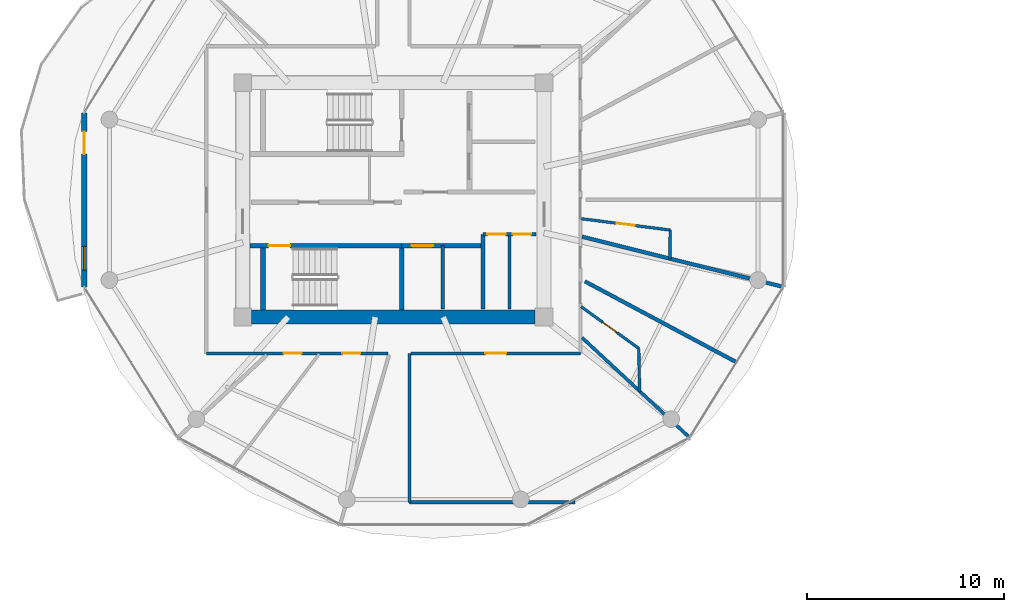
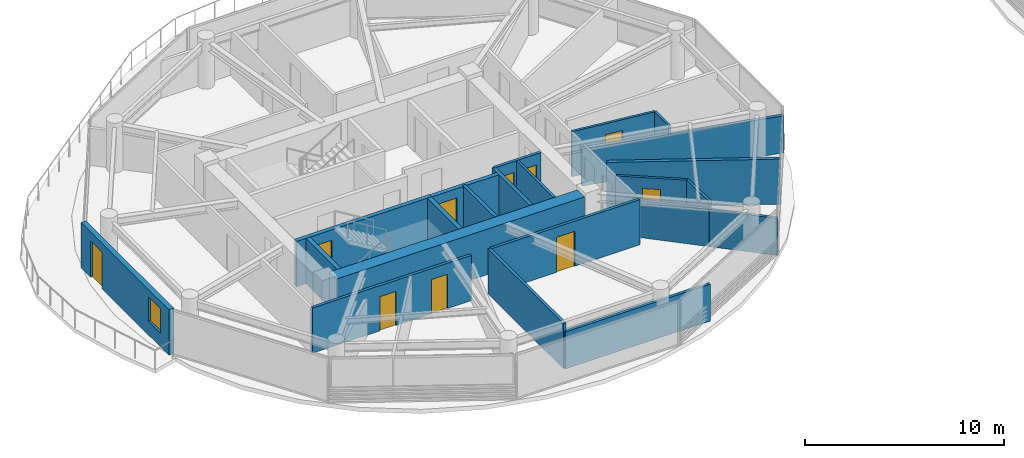
# One storey, part 13 of 24: 21 walls, 10 doors, 1 window, 11 openings.
"""IFC4 building model written with IfcOpenShell, lengths in metres."""

import ifcopenshell
import ifcopenshell.guid

model = None  # the IFC model being written
_history = None  # IfcOwnerHistory: only IFC2X3 demands one
_inside = {}  # id of a spatial element -> (the spatial element, [elements in it])
_under = {}  # id of a project, library or spatial element -> (it, [spatial elements below it])
_declared = {}  # id of a project -> (the project, [libraries it declares])
_typed = {}  # id of a type object -> (the type object, [elements of that type])
_made_of = {}  # id of a material, layer set ... -> (it, [elements and type objects made of it])


def new_model(schema):
    """Start an empty IFC model of exactly this schema.

    Asked for "IFC4X3", IfcOpenShell would pick the latest addendum, in which some entities
    have other attributes; the version numbers below select the first issue.
    IFC2X3 requires an IfcOwnerHistory on every rooted entity: one is made here for all.
    """
    global model, _history
    if schema == "IFC4X3":
        model = ifcopenshell.file(schema_version=(4, 3, 0, 0))
    else:
        model = ifcopenshell.file(schema=schema)
    _inside.clear()
    _under.clear()
    _declared.clear()
    _typed.clear()
    _made_of.clear()
    _history = None
    if model.schema == "IFC2X3":
        org = make("IfcOrganization", Name="unknown")
        user = make(
            "IfcPersonAndOrganization",
            ThePerson=make("IfcPerson", FamilyName="unknown"),
            TheOrganization=org,
        )
        app = make(
            "IfcApplication",
            ApplicationDeveloper=org,
            Version="unknown",
            ApplicationFullName="unknown",
            ApplicationIdentifier="unknown",
        )
        _history = make(
            "IfcOwnerHistory",
            OwningUser=user,
            OwningApplication=app,
            ChangeAction="ADDED",
            CreationDate=0,
        )
    return model


def make(cls, **values):
    """One entity of the class cls with the attributes given. An attribute that is None is left unset."""
    return model.create_entity(
        cls, **{name: value for name, value in values.items() if value is not None}
    )


def rooted(cls, **values):
    """An entity with a GlobalId (a new one), such as an element, a storey or a relation."""
    return make(cls, GlobalId=ifcopenshell.guid.new(), OwnerHistory=_history, **values)


def si_unit(unit_type, name, prefix=None):
    """IfcSIUnit, for example si_unit("LENGTHUNIT", "METRE", prefix="MILLI")."""
    return make("IfcSIUnit", UnitType=unit_type, Prefix=prefix, Name=name)


def assignment(units):
    """IfcUnitAssignment: the units of a project."""
    return None if units is None else make("IfcUnitAssignment", Units=units)


def point(xyz):
    """IfcCartesianPoint."""
    return None if xyz is None else make("IfcCartesianPoint", Coordinates=xyz)


def direction(xyz):
    """IfcDirection."""
    return None if xyz is None else make("IfcDirection", DirectionRatios=xyz)


def frame(location, z_axis=None, x_axis=None):
    """IfcAxis2Placement3D, a coordinate frame: its origin and axes. An axis left out is left unset."""
    return make(
        "IfcAxis2Placement3D",
        Location=point(location),
        Axis=direction(z_axis),
        RefDirection=direction(x_axis),
    )


def frame_2d(location, x_axis=None):
    """IfcAxis2Placement2D, a coordinate frame in the plane: its origin and x axis."""
    return make(
        "IfcAxis2Placement2D", Location=point(location), RefDirection=direction(x_axis)
    )


def origin():
    """The frame at (0, 0, 0) with its axes left unset."""
    return frame((0.0, 0.0, 0.0))


def place(relative_to, where):
    """IfcLocalPlacement: puts the frame where relative to a parent placement (None: the world)."""
    return make(
        "IfcLocalPlacement", PlacementRelTo=relative_to, RelativePlacement=where
    )


def context(
    kind, dimensions, precision=None, world=None, true_north=None, identifier=None
):
    """IfcGeometricRepresentationContext, for example the 3D "Model" context."""
    return make(
        "IfcGeometricRepresentationContext",
        ContextIdentifier=identifier,
        ContextType=kind,
        CoordinateSpaceDimension=dimensions,
        Precision=precision,
        WorldCoordinateSystem=world,
        TrueNorth=true_north,
    )


def subcontext(parent, identifier, kind, view, scale=None):
    """IfcGeometricRepresentationSubContext, for example "Body" below "Model"."""
    return make(
        "IfcGeometricRepresentationSubContext",
        ContextIdentifier=identifier,
        ContextType=kind,
        ParentContext=parent,
        TargetScale=scale,
        TargetView=view,
    )


def project(units=None, contexts=None):
    """IfcProject with its units and contexts."""
    return rooted(
        "IfcProject",
        Name="project",
        RepresentationContexts=contexts,
        UnitsInContext=assignment(units),
    )


def spatial(cls, under=None, at=None, **own):
    """A site, building, storey or space (cls), placed at a placement, below another one or the project."""
    s = rooted(cls, ObjectPlacement=at, **own)
    if under is not None:
        _under.setdefault(under.id(), (under, []))[1].append(s)
    return s


def profile(cls, at=None, kind="AREA", **sizes):
    """A parametric profile (cls). Its sizes go by their IFC names, for example OverallWidth=200.0."""
    return make(cls, ProfileType=kind, Position=at, **sizes)


def rectangle(**sizes):
    """IfcRectangleProfileDef."""
    return profile("IfcRectangleProfileDef", **sizes)


def extrude(swept, where, along, depth):
    """IfcExtrudedAreaSolid: the profile swept, set in the frame where, extruded along a direction by depth."""
    return make(
        "IfcExtrudedAreaSolid",
        SweptArea=swept,
        Position=where,
        ExtrudedDirection=direction(along),
        Depth=depth,
    )


def shape(context_of_items, identifier, shape_type, items):
    """IfcShapeRepresentation: the items that make up one representation, for example the "Body"."""
    return make(
        "IfcShapeRepresentation",
        ContextOfItems=context_of_items,
        RepresentationIdentifier=identifier,
        RepresentationType=shape_type,
        Items=items,
    )


def source(mapping_origin, context_of_items, identifier, shape_type, items):
    """IfcRepresentationMap: a shape defined once, which mapped items show again and again."""
    return make(
        "IfcRepresentationMap",
        MappingOrigin=mapping_origin,
        MappedRepresentation=shape(context_of_items, identifier, shape_type, items),
    )


def transform(
    local_origin,
    x_axis=None,
    y_axis=None,
    z_axis=None,
    scale=None,
    scale2=None,
    scale3=None,
    uniform=True,
):
    """IfcCartesianTransformationOperator3D, or its non-uniform kind. x_axis, y_axis, z_axis: its Axis1, 2, 3."""
    if uniform:
        return make(
            "IfcCartesianTransformationOperator3D",
            Axis1=direction(x_axis),
            Axis2=direction(y_axis),
            LocalOrigin=point(local_origin),
            Scale=scale,
            Axis3=direction(z_axis),
        )
    return make(
        "IfcCartesianTransformationOperator3DnonUniform",
        Axis1=direction(x_axis),
        Axis2=direction(y_axis),
        LocalOrigin=point(local_origin),
        Scale=scale,
        Axis3=direction(z_axis),
        Scale2=scale2,
        Scale3=scale3,
    )


def mapped(mapping_source, mapping_target):
    """IfcMappedItem: shows the shape of a source again, moved by a transform."""
    return make(
        "IfcMappedItem", MappingSource=mapping_source, MappingTarget=mapping_target
    )


def material(Name=None, Category=None):
    """IfcMaterial."""
    return make("IfcMaterial", Name=Name, Category=Category)


def layer(
    of_material, thickness, ventilated=None, Name=None, Category=None, Priority=None
):
    """IfcMaterialLayer: one layer of a wall or slab, of a material (None: an air gap)."""
    return make(
        "IfcMaterialLayer",
        Material=of_material,
        LayerThickness=thickness,
        IsVentilated=ventilated,
        Name=Name,
        Category=Category,
        Priority=Priority,
    )


def layer_set(layers, Name=None):
    """IfcMaterialLayerSet."""
    return make("IfcMaterialLayerSet", MaterialLayers=layers, LayerSetName=Name)


def made_of(thing, what):
    """Note that an element or type object is made of a material, layer set ...; save() writes the relation."""
    if what is not None:
        _made_of.setdefault(what.id(), (what, []))[1].append(thing)
    return thing


def type_object(cls, material=None, **own):
    """A type object (cls), such as IfcWallType, which elements share."""
    return made_of(rooted(cls, **own), material)


def type_shapes(of_type, sources):
    """Give a type object the sources (RepresentationMaps) that its elements show as mapped items."""
    of_type.RepresentationMaps = sources


def element(
    cls,
    number,
    at=None,
    inside=None,
    cuts=None,
    type_object=None,
    material=None,
    context=None,
    identifier="Body",
    shape_type=None,
    held_by="IfcProductDefinitionShape",
    body=None,
    shapes=None,
    **own,
):
    """One element of the class cls, such as IfcWall. Its Tag is "e" and its number.

    at: its placement. inside: the storey or other place that contains it. cuts: it is an
    opening in that element (IfcRelVoidsElement). A single representation is given by context,
    identifier, shape_type and body (its items); several are given by shapes. held_by: the class
    of the entity that holds the representations. save() writes the other relations.
    """
    e = rooted(cls, Tag="e%d" % number, ObjectPlacement=at, **own)
    if body is not None:
        shapes = [shape(context, identifier, shape_type, body)]
    if shapes is not None:
        e.Representation = make(held_by, Representations=shapes)
    if inside is not None:
        _inside.setdefault(inside.id(), (inside, []))[1].append(e)
    if cuts is not None:
        rooted(
            "IfcRelVoidsElement", RelatingBuildingElement=cuts, RelatedOpeningElement=e
        )
    if type_object is not None:
        _typed.setdefault(type_object.id(), (type_object, []))[1].append(e)
    return made_of(e, material)


def fill(opening, filler):
    """IfcRelFillsElement: the door or window that sits in an opening."""
    return rooted(
        "IfcRelFillsElement",
        RelatingOpeningElement=opening,
        RelatedBuildingElement=filler,
    )


def aggregate(whole, parts):
    """IfcRelAggregates: a whole, such as a stair, and the parts it consists of."""
    return rooted("IfcRelAggregates", RelatingObject=whole, RelatedObjects=parts)


def save(model, path):
    """Write the relations noted so far, then the file.

    IfcRelAggregates (storeys below a building ...), IfcRelContainedInSpatialStructure (elements
    in a storey), IfcRelDefinesByType, IfcRelAssociatesMaterial and IfcRelDeclares: one each for
    every whole, place, type object, material and project.
    """
    for whole, parts in _under.values():
        aggregate(whole, parts)
    for where, things in _inside.values():
        rooted(
            "IfcRelContainedInSpatialStructure",
            RelatedElements=things,
            RelatingStructure=where,
        )
    for kind, things in _typed.values():
        rooted("IfcRelDefinesByType", RelatedObjects=things, RelatingType=kind)
    for what, things in _made_of.values():
        rooted("IfcRelAssociatesMaterial", RelatedObjects=things, RelatingMaterial=what)
    for by, libraries in _declared.values():
        rooted("IfcRelDeclares", RelatingContext=by, RelatedDefinitions=libraries)
    model.write(path)


model = new_model("IFC4")

# Units and contexts
model_context = context("Model", 3, precision=1e-05, world=origin(), true_north=direction((0.0, 1.0)))
body_context = subcontext(model_context, "Body", "Model", "MODEL_VIEW")
ifc_project = project(units=[si_unit("LENGTHUNIT", "METRE"), si_unit("AREAUNIT", "SQUARE_METRE"), si_unit("VOLUMEUNIT", "CUBIC_METRE"), si_unit("PLANEANGLEUNIT", "RADIAN"), si_unit("MASSUNIT", "GRAM", prefix="KILO")], contexts=[model_context])

# Site, building, storey
site_placement = place(None, origin())
site = spatial("IfcSite", under=ifc_project, at=site_placement, CompositionType="ELEMENT")
building_placement = place(site_placement, origin())
building = spatial("IfcBuilding", under=site, at=building_placement, Name="Norrkilde Senior Care Towers", CompositionType="ELEMENT")
storey_placement = place(building_placement, frame((0.0, 0.0, 90.14990234375)))
storey = spatial("IfcBuildingStorey", under=building, at=storey_placement, Name="L27", CompositionType="ELEMENT", Elevation=90.14990234375)

# Wall
ifc_material_1 = material(Name="Concrete C60/75", Category="concrete")
ifc_layer_1 = layer(ifc_material_1, 0.719970703125)
ifc_layer_set_1 = layer_set([ifc_layer_1], Name="Concrete C60/75")
wall_type_1 = type_object("IfcWallType", Name="Core Shear Wall Z2 720", PredefinedType="SHEAR", material=ifc_layer_set_1)
shared_shape_1 = source(origin(), body_context, "Body", "SweptSolid", [
    extrude(rectangle(XDim=14.39990234375, YDim=0.719970703125, at=frame_2d((7.199951171875, 0.0))), origin(), (0.0, 0.0, 1.0), 2.7900390625),
])
type_shapes(wall_type_1, [shared_shape_1])
wall_1_placement = place(storey_placement, frame((-20.800048828125, -5.949951171875, 0.0), z_axis=(0.0, 0.0, 1.0), x_axis=(-1.0, 0.0, 0.0)))
element("IfcWall", 1, at=wall_1_placement, inside=storey, type_object=wall_type_1, Name="L27 Core W South Shear Wall", PredefinedType="SHEAR", context=body_context, shape_type="MappedRepresentation", body=[
    mapped(shared_shape_1, transform((0.0, 0.0, 0.0), x_axis=(1.0, 0.0, 0.0), y_axis=(0.0, 1.0, 0.0), z_axis=(0.0, 0.0, 1.0), scale=1.0)),
])

# Wall, openings, door, window
ifc_material_2 = material(Name="Precast concrete C45/55", Category="concrete")
ifc_layer_2 = layer(ifc_material_2, 0.2900390625)
ifc_layer_set_2 = layer_set([ifc_layer_2], Name="Precast concrete C45/55")
wall_type_2 = type_object("IfcWallType", Name="Winter Garden Facade Wall 290", PredefinedType="SOLIDWALL", material=ifc_layer_set_2)
shared_shape_2 = source(origin(), body_context, "Body", "SweptSolid", [
    extrude(rectangle(XDim=8.84130859375, YDim=0.2900390625, at=frame_2d((4.420654296875, 0.0))), origin(), (0.0, 0.0, 1.0), 2.7900390625),
])
type_shapes(wall_type_2, [shared_shape_2])
wall_2_placement = place(storey_placement, frame((-43.70361328125, -4.420654296875, 0.0), z_axis=(0.0, 0.0, 1.0), x_axis=(0.0, 1.0, 0.0)))
wall_2 = element("IfcWall", 2, at=wall_2_placement, inside=storey, type_object=wall_type_2, Name="L27 Drum W Balcony Access Wall 05", PredefinedType="SOLIDWALL", context=body_context, shape_type="MappedRepresentation", body=[
    mapped(shared_shape_2, transform((0.0, 0.0, 0.0), x_axis=(1.0, 0.0, 0.0), y_axis=(0.0, 1.0, 0.0), z_axis=(0.0, 0.0, 1.0), scale=1.0)),
])
opening_1_placement = place(wall_2_placement, frame((6.739990234375, 0.0, 0.0)))
opening_1 = element("IfcOpeningElement", 3, at=opening_1_placement, cuts=wall_2, Name="Opening D-09", PredefinedType="OPENING", context=body_context, shape_type="SweptSolid", body=[
    extrude(rectangle(XDim=1.14990234375, YDim=2.25, at=frame_2d((0.574951171875, 1.125))), frame((0.0, 0.155029296875, 0.0), z_axis=(0.0, -1.0, 0.0), x_axis=(1.0, 0.0, 0.0)), (0.0, 0.0, 1.0), 0.31005859375),
])
opening_2_placement = place(wall_2_placement, frame((0.85009765625, 0.0, 0.85009765625)))
opening_2 = element("IfcOpeningElement", 4, at=opening_2_placement, cuts=wall_2, Name="Opening WN-07", PredefinedType="OPENING", context=body_context, shape_type="SweptSolid", body=[
    extrude(rectangle(XDim=1.199951171875, YDim=1.5, at=frame_2d((0.60009765625, 0.75))), frame((0.0, 0.155029296875, 0.0), z_axis=(0.0, -1.0, 0.0), x_axis=(1.0, 0.0, 0.0)), (0.0, 0.0, 1.0), 0.31005859375),
])
ifc_material_3 = material(Name="Anodised Aluminium", Category="aluminium")
door_type_1 = type_object("IfcDoorType", Name="Terrace and Balcony Glazed Door 1150x2250", OperationType="NOTDEFINED", PredefinedType="DOOR", material=ifc_material_3)
shared_shape_3 = source(origin(), body_context, "Body", "SweptSolid", [
    extrude(rectangle(XDim=1.14990234375, YDim=2.25, at=frame_2d((0.574951171875, 1.125))), frame((0.0, 0.02490234375, 0.0), z_axis=(0.0, -1.0, 0.0), x_axis=(1.0, 0.0, 0.0)), (0.0, 0.0, 1.0), 0.050048828125),
])
type_shapes(door_type_1, [shared_shape_3])
door_1_placement = place(opening_1_placement, origin())
door_1 = element("IfcDoor", 5, at=door_1_placement, inside=storey, type_object=door_type_1, Name="L27 Drum W Outdoor Terrace Door 05", OperationType="SINGLE_SWING_RIGHT", OverallHeight=2.25, OverallWidth=1.14990234375, PredefinedType="DOOR", context=body_context, shape_type="MappedRepresentation", body=[
    mapped(shared_shape_3, transform((0.0, 0.0, 0.0), x_axis=(1.0, 0.0, 0.0), y_axis=(0.0, 1.0, 0.0), z_axis=(0.0, 0.0, 1.0), scale=1.0)),
])
fill(opening_1, door_1)
ifc_material_4 = material(Name="Triple Low-E Insulated Glazing", Category="glass")
window_type = type_object("IfcWindowType", Name="Stairwell Smoke Vent Window 1200x1500", PartitioningType="SINGLE_PANEL", PredefinedType="WINDOW", material=ifc_material_4)
shared_shape_4 = source(origin(), body_context, "Body", "SweptSolid", [
    extrude(rectangle(XDim=1.199951171875, YDim=1.5, at=frame_2d((0.60009765625, 0.75))), frame((0.0, 0.030029296875, 0.0), z_axis=(0.0, -1.0, 0.0), x_axis=(1.0, 0.0, 0.0)), (0.0, 0.0, 1.0), 0.06005859375),
])
type_shapes(window_type, [shared_shape_4])
window_placement = place(opening_2_placement, origin())
window = element("IfcWindow", 6, at=window_placement, inside=storey, type_object=window_type, Name="L27 Drum W Winter Garden Window 05", OverallHeight=1.5, OverallWidth=1.199951171875, PartitioningType="SINGLE_PANEL", PredefinedType="WINDOW", context=body_context, shape_type="MappedRepresentation", body=[
    mapped(shared_shape_4, transform((0.0, 0.0, 0.0), x_axis=(1.0, 0.0, 0.0), y_axis=(0.0, 1.0, 0.0), z_axis=(0.0, 0.0, 1.0), scale=1.0)),
])
fill(opening_2, window)

# Wall
ifc_material_5 = material(Name="Concrete C45/55", Category="concrete")
ifc_layer_3 = layer(ifc_material_5, 0.199951171875)
ifc_layer_set_3 = layer_set([ifc_layer_3], Name="Concrete C45/55")
wall_type_3 = type_object("IfcWallType", Name="Shaft Division and Plant Partition 200", PredefinedType="PARTITIONING", material=ifc_layer_set_3)
shared_shape_5 = source(origin(), body_context, "Body", "SweptSolid", [
    extrude(rectangle(XDim=3.800048828125, YDim=0.199951171875, at=frame_2d((1.89990234375, 0.0))), origin(), (0.0, 0.0, 1.0), 2.775146484375),
])
type_shapes(wall_type_3, [shared_shape_5])
wall_3_placement = place(storey_placement, frame((-23.449951171875, -5.550048828125, 0.0), z_axis=(0.0, 0.0, 1.0), x_axis=(0.0, 1.0, 0.0)))
element("IfcWall", 7, at=wall_3_placement, inside=storey, type_object=wall_type_3, Name="WL-INT-L27-W-PKBE", PredefinedType="PARTITIONING", context=body_context, shape_type="MappedRepresentation", body=[
    mapped(shared_shape_5, transform((0.0, 0.0, 0.0), x_axis=(1.0, 0.0, 0.0), y_axis=(0.0, 1.0, 0.0), z_axis=(0.0, 0.0, 1.0), scale=1.0)),
])

# Wall, opening, door
ifc_layer_4 = layer(ifc_material_5, 0.239990234375)
ifc_layer_set_4 = layer_set([ifc_layer_4], Name="Concrete C45/55")
wall_type_4 = type_object("IfcWallType", Name="Lift and Plant Rated Enclosure Partition 240", PredefinedType="PARTITIONING", material=ifc_layer_set_4)
shared_shape_6 = source(origin(), body_context, "Body", "SweptSolid", [
    extrude(rectangle(XDim=4.130126953125, YDim=0.239990234375, at=frame_2d((2.06494140625, 0.0))), origin(), (0.0, 0.0, 1.0), 2.775146484375),
])
type_shapes(wall_type_4, [shared_shape_6])
wall_4_placement = place(storey_placement, frame((-27.580078125, -2.330078125, 0.0), z_axis=(0.0, 0.0, 1.0), x_axis=(1.0, 0.0, 0.0)))
wall_4 = element("IfcWall", 8, at=wall_4_placement, inside=storey, type_object=wall_type_4, Name="WL-INT-L27-W-PKBN", PredefinedType="PARTITIONING", context=body_context, shape_type="MappedRepresentation", body=[
    mapped(shared_shape_6, transform((0.0, 0.0, 0.0), x_axis=(1.0, 0.0, 0.0), y_axis=(0.0, 1.0, 0.0), z_axis=(0.0, 0.0, 1.0), scale=1.0)),
])
opening_3_placement = place(wall_4_placement, frame((0.5, 0.0, 0.0)))
opening_3 = element("IfcOpeningElement", 9, at=opening_3_placement, cuts=wall_4, Name="Opening LD-01", PredefinedType="OPENING", context=body_context, shape_type="SweptSolid", body=[
    extrude(rectangle(XDim=1.10009765625, YDim=2.199951171875, at=frame_2d((0.550048828125, 1.10009765625))), frame((0.0, 0.1298828125, 0.0), z_axis=(0.0, -1.0, 0.0), x_axis=(1.0, 0.0, 0.0)), (0.0, 0.0, 1.0), 0.260009765625),
])
ifc_material_6 = material(Name="Stainless Steel", Category="steel")
door_type_2 = type_object("IfcDoorType", Name="Lift Landing Sliding Door 1100x2200", OperationType="NOTDEFINED", PredefinedType="DOOR", material=ifc_material_6)
shared_shape_7 = source(origin(), body_context, "Body", "SweptSolid", [
    extrude(rectangle(XDim=1.10009765625, YDim=2.199951171875, at=frame_2d((0.550048828125, 1.10009765625))), frame((0.0, 0.02490234375, 0.0), z_axis=(0.0, -1.0, 0.0), x_axis=(1.0, 0.0, 0.0)), (0.0, 0.0, 1.0), 0.050048828125),
])
type_shapes(door_type_2, [shared_shape_7])
door_2_placement = place(opening_3_placement, frame((1.10009765625, 0.0, 0.0), z_axis=(0.0, 0.0, 1.0), x_axis=(-1.0, 0.0, 0.0)))
door_2 = element("IfcDoor", 10, at=door_2_placement, inside=storey, type_object=door_type_2, Name="L27 Passenger Lift W3 Landing Door", OperationType="SLIDING_TO_LEFT", OverallHeight=2.199951171875, OverallWidth=1.10009765625, PredefinedType="DOOR", context=body_context, shape_type="MappedRepresentation", body=[
    mapped(shared_shape_7, transform((0.0, 0.0, 0.0), x_axis=(1.0, 0.0, 0.0), y_axis=(0.0, 1.0, 0.0), z_axis=(0.0, 0.0, 1.0), scale=1.0)),
])
fill(opening_3, door_2)

# Wall
ifc_layer_5 = layer(ifc_material_5, 0.179931640625)
ifc_layer_set_5 = layer_set([ifc_layer_5], Name="Concrete C45/55")
wall_type_5 = type_object("IfcWallType", Name="Hoistway Division Rated Partition 180", PredefinedType="PARTITIONING", material=ifc_layer_set_5)
shared_shape_8 = source(origin(), body_context, "Body", "SweptSolid", [
    extrude(rectangle(XDim=3.219970703125, YDim=0.179931640625, at=frame_2d((1.60986328125, 0.0))), origin(), (0.0, 0.0, 1.0), 2.775146484375),
])
type_shapes(wall_type_5, [shared_shape_8])
wall_5_placement = place(storey_placement, frame((-25.5, -5.550048828125, 0.0), z_axis=(0.0, 0.0, 1.0), x_axis=(0.0, 1.0, 0.0)))
element("IfcWall", 11, at=wall_5_placement, inside=storey, type_object=wall_type_5, Name="WL-INT-L27-W-PL34", PredefinedType="PARTITIONING", context=body_context, shape_type="MappedRepresentation", body=[
    mapped(shared_shape_8, transform((0.0, 0.0, 0.0), x_axis=(1.0, 0.0, 0.0), y_axis=(0.0, 1.0, 0.0), z_axis=(0.0, 0.0, 1.0), scale=1.0)),
])

# Wall, openings, doors
ifc_material_7 = material(Name="Gypsum Acoustic Board")
ifc_layer_6 = layer(ifc_material_7, 0.1650390625)
ifc_layer_set_6 = layer_set([ifc_layer_6], Name="Gypsum Acoustic Board")
wall_type_6 = type_object("IfcWallType", Name="Corridor Rated Partition 165", PredefinedType="PARTITIONING", material=ifc_layer_set_6)
shared_shape_9 = source(origin(), body_context, "Body", "SweptSolid", [
    extrude(rectangle(XDim=2.699951171875, YDim=0.1650390625, at=frame_2d((1.35009765625, 0.0))), origin(), (0.0, 0.0, 1.0), 2.775146484375),
])
wall_6_placement = place(storey_placement, frame((-23.449951171875, -1.75, 0.0), z_axis=(0.0, 0.0, 1.0), x_axis=(1.0, 0.0, 0.0)))
wall_6 = element("IfcWall", 12, at=wall_6_placement, inside=storey, type_object=wall_type_6, Name="WL-INT-L27-W-CSN", PredefinedType="PARTITIONING", context=body_context, shape_type="MappedRepresentation", body=[
    mapped(shared_shape_9, transform((0.0, 0.0, 0.0), x_axis=(1.0, 0.0, 0.0), y_axis=(0.0, 1.0, 0.0), z_axis=(0.0, 0.0, 1.0), scale=1.0)),
])
opening_4_placement = place(wall_6_placement, frame((0.222412109375, 0.0, 0.0)))
opening_4 = element("IfcOpeningElement", 13, at=opening_4_placement, cuts=wall_6, Name="Opening D-12", PredefinedType="OPENING", context=body_context, shape_type="SweptSolid", body=[
    extrude(rectangle(XDim=0.925048828125, YDim=2.10009765625, at=frame_2d((0.46240234375, 1.050048828125))), frame((0.0, 0.092529296875, 0.0), z_axis=(0.0, -1.0, 0.0), x_axis=(1.0, 0.0, 0.0)), (0.0, 0.0, 1.0), 0.18505859375),
])
opening_5_placement = place(wall_6_placement, frame((1.5224609375, 0.0, 0.0)))
opening_5 = element("IfcOpeningElement", 14, at=opening_5_placement, cuts=wall_6, Name="Opening D-12", PredefinedType="OPENING", context=body_context, shape_type="SweptSolid", body=[
    extrude(rectangle(XDim=0.925048828125, YDim=2.10009765625, at=frame_2d((0.46240234375, 1.050048828125))), frame((0.0, 0.092529296875, 0.0), z_axis=(0.0, -1.0, 0.0), x_axis=(1.0, 0.0, 0.0)), (0.0, 0.0, 1.0), 0.18505859375),
])
ifc_material_8 = material(Name="Galvanised Painted Steel", Category="steel")
door_type_3 = type_object("IfcDoorType", Name="Core Wet Room Rated Door 925x2100", OperationType="NOTDEFINED", PredefinedType="DOOR", material=ifc_material_8)
shared_shape_10 = source(origin(), body_context, "Body", "SweptSolid", [
    extrude(rectangle(XDim=0.925048828125, YDim=2.10009765625, at=frame_2d((0.46240234375, 1.050048828125))), frame((0.0, 0.02490234375, 0.0), z_axis=(0.0, -1.0, 0.0), x_axis=(1.0, 0.0, 0.0)), (0.0, 0.0, 1.0), 0.050048828125),
])
type_shapes(door_type_3, [shared_shape_10])
door_3_placement = place(opening_4_placement, origin())
door_3 = element("IfcDoor", 15, at=door_3_placement, inside=storey, type_object=door_type_3, Name="L27 Staff Accessible WC W Door", OperationType="SINGLE_SWING_LEFT", OverallHeight=2.10009765625, OverallWidth=0.925048828125, PredefinedType="DOOR", context=body_context, shape_type="MappedRepresentation", body=[
    mapped(shared_shape_10, transform((0.0, 0.0, 0.0), x_axis=(1.0, 0.0, 0.0), y_axis=(0.0, 1.0, 0.0), z_axis=(0.0, 0.0, 1.0), scale=1.0)),
])
fill(opening_4, door_3)
door_4_placement = place(opening_5_placement, origin())
door_4 = element("IfcDoor", 16, at=door_4_placement, inside=storey, type_object=door_type_3, Name="L27 Housekeeping Store W Door", OperationType="SINGLE_SWING_RIGHT", OverallHeight=2.10009765625, OverallWidth=0.925048828125, PredefinedType="DOOR", context=body_context, shape_type="MappedRepresentation", body=[
    mapped(shared_shape_10, transform((0.0, 0.0, 0.0), x_axis=(1.0, 0.0, 0.0), y_axis=(0.0, 1.0, 0.0), z_axis=(0.0, 0.0, 1.0), scale=1.0)),
])
fill(opening_5, door_4)

# Wall, opening, door
ifc_layer_7 = layer(ifc_material_5, 0.239990234375)
ifc_layer_set_7 = layer_set([ifc_layer_7], Name="Concrete C45/55")
wall_type_7 = type_object("IfcWallType", Name="Shaft and Stair Enclosure Wall 240", PredefinedType="PARTITIONING", material=ifc_layer_set_7)
shared_shape_11 = source(origin(), body_context, "Body", "SweptSolid", [
    extrude(rectangle(XDim=7.830078125, YDim=0.239990234375, at=frame_2d((3.9150390625, 0.0))), origin(), (0.0, 0.0, 1.0), 2.7900390625),
])
wall_7_placement = place(storey_placement, frame((-35.2900390625, -2.330078125, 0.0), z_axis=(0.0, 0.0, 1.0), x_axis=(1.0, 0.0, 0.0)))
wall_7 = element("IfcWall", 17, at=wall_7_placement, inside=storey, type_object=wall_type_7, Name="WL-INT-L27-W-ST2N", PredefinedType="PARTITIONING", context=body_context, shape_type="MappedRepresentation", body=[
    mapped(shared_shape_11, transform((0.0, 0.0, 0.0), x_axis=(1.0, 0.0, 0.0), y_axis=(0.0, 1.0, 0.0), z_axis=(0.0, 0.0, 1.0), scale=1.0)),
])
opening_6_placement = place(wall_7_placement, frame((0.949951171875, 0.0, 0.0)))
opening_6 = element("IfcOpeningElement", 18, at=opening_6_placement, cuts=wall_7, Name="Opening D-03", PredefinedType="OPENING", context=body_context, shape_type="SweptSolid", body=[
    extrude(rectangle(XDim=1.10009765625, YDim=2.14990234375, at=frame_2d((0.550048828125, 1.074951171875))), frame((0.0, 0.1298828125, 0.0), z_axis=(0.0, -1.0, 0.0), x_axis=(1.0, 0.0, 0.0)), (0.0, 0.0, 1.0), 0.260009765625),
])
door_type_4 = type_object("IfcDoorType", Name="Stairwell Protected Fire Door 1100x2150", OperationType="NOTDEFINED", PredefinedType="DOOR", material=ifc_material_8)
shared_shape_12 = source(origin(), body_context, "Body", "SweptSolid", [
    extrude(rectangle(XDim=1.10009765625, YDim=2.14990234375, at=frame_2d((0.550048828125, 1.074951171875))), frame((0.0, 0.02490234375, 0.0), z_axis=(0.0, -1.0, 0.0), x_axis=(1.0, 0.0, 0.0)), (0.0, 0.0, 1.0), 0.050048828125),
])
type_shapes(door_type_4, [shared_shape_12])
door_5_placement = place(opening_6_placement, frame((1.10009765625, 0.0, 0.0), z_axis=(0.0, 0.0, 1.0), x_axis=(-1.0, 0.0, 0.0)))
door_5 = element("IfcDoor", 19, at=door_5_placement, inside=storey, type_object=door_type_4, Name="L27 Stair W2 Fire Door", OperationType="SINGLE_SWING_RIGHT", OverallHeight=2.14990234375, OverallWidth=1.10009765625, PredefinedType="DOOR", context=body_context, shape_type="MappedRepresentation", body=[
    mapped(shared_shape_12, transform((0.0, 0.0, 0.0), x_axis=(1.0, 0.0, 0.0), y_axis=(0.0, 1.0, 0.0), z_axis=(0.0, 0.0, 1.0), scale=1.0)),
])
fill(opening_6, door_5)

# Walls
shared_shape_13 = source(origin(), body_context, "Body", "SweptSolid", [
    extrude(rectangle(XDim=3.14013671875, YDim=0.239990234375, at=frame_2d((1.570068359375, 0.0))), origin(), (0.0, 0.0, 1.0), 2.7900390625),
])
type_shapes(wall_type_7, [shared_shape_11, shared_shape_13])
for number, where, z_axis, x_axis, name in (
    (20, (-34.6201171875, -5.590087890625, 0.0), (0.0, 0.0, 1.0), (0.0, 1.0, 0.0), "WL-INT-L27-W-ST2W"),
    (21, (-27.580078125, -5.590087890625, 0.0), (0.0, 0.0, 1.0), (0.0, 1.0, 0.0), "WL-INT-L27-W-ST2E"),
):
    element("IfcWall", number, at=place(storey_placement, frame(where, z_axis=z_axis, x_axis=x_axis)), inside=storey, type_object=wall_type_7, Name=name, PredefinedType="PARTITIONING", context=body_context, shape_type="MappedRepresentation", body=[
        mapped(shared_shape_13, transform((0.0, 0.0, 0.0), x_axis=(1.0, 0.0, 0.0), y_axis=(0.0, 1.0, 0.0), z_axis=(0.0, 0.0, 1.0), scale=1.0)),
    ])
ifc_layer_8 = layer(ifc_material_7, 0.18994140625)
ifc_layer_set_8 = layer_set([ifc_layer_8], Name="Gypsum Acoustic Board")
wall_type_8 = type_object("IfcWallType", Name="Unit Demising Acoustic Wall 190", PredefinedType="PARTITIONING", material=ifc_layer_set_8)
shared_shape_14 = source(origin(), body_context, "Body", "SweptSolid", [
    extrude(rectangle(XDim=10.5556640625, YDim=0.18994140625, at=frame_2d((5.27783203125, 0.0))), origin(), (0.0, 0.0, 1.0), 2.275146484375),
])
wall_8_placement = place(storey_placement, frame((-18.419921875, -1.875, 0.0), z_axis=(0.0, 0.0, 1.0), x_axis=(0.970363857851, -0.241648470667, 0.0)))
element("IfcWall", 22, at=wall_8_placement, inside=storey, type_object=wall_type_8, Name="WL-INT-L27-W-DEM-11-0", PredefinedType="PARTITIONING", context=body_context, shape_type="MappedRepresentation", body=[
    mapped(shared_shape_14, transform((0.0, 0.0, 0.0), x_axis=(1.0, 0.0, 0.0), y_axis=(0.0, 1.0, 0.0), z_axis=(0.0, 0.0, 1.0), scale=1.0)),
])
ifc_layer_9 = layer(ifc_material_7, 0.139892578125)
ifc_layer_set_9 = layer_set([ifc_layer_9], Name="Gypsum Acoustic Board")
wall_type_9 = type_object("IfcWallType", Name="En-suite Wet Room Wall 140", PredefinedType="PARTITIONING", material=ifc_layer_set_9)
shared_shape_15 = source(origin(), body_context, "Body", "SweptSolid", [
    extrude(rectangle(XDim=3.800048828125, YDim=0.139892578125, at=frame_2d((1.89990234375, 0.0))), origin(), (0.0, 0.0, 1.0), 2.775146484375),
])
wall_9_placement = place(storey_placement, frame((-22.10009765625, -5.550048828125, 0.0), z_axis=(0.0, 0.0, 1.0), x_axis=(0.0, 1.0, 0.0)))
element("IfcWall", 23, at=wall_9_placement, inside=storey, type_object=wall_type_9, Name="WL-INT-L27-W-CS1V", PredefinedType="PARTITIONING", context=body_context, shape_type="MappedRepresentation", body=[
    mapped(shared_shape_15, transform((0.0, 0.0, 0.0), x_axis=(1.0, 0.0, 0.0), y_axis=(0.0, 1.0, 0.0), z_axis=(0.0, 0.0, 1.0), scale=1.0)),
])

# Wall, opening, door
shared_shape_16 = source(origin(), body_context, "Body", "SweptSolid", [
    extrude(rectangle(XDim=8.60009765625, YDim=0.1650390625, at=frame_2d((4.300048828125, 0.0))), origin(), (0.0, 0.0, 1.0), 2.775146484375),
])
wall_10_placement = place(storey_placement, frame((-18.5, -7.800048828125, 0.0), z_axis=(0.0, 0.0, 1.0), x_axis=(-1.0, 0.0, 0.0)))
wall_10 = element("IfcWall", 24, at=wall_10_placement, inside=storey, type_object=wall_type_6, Name="WL-INT-L27-W-CRW-S-0", PredefinedType="PARTITIONING", context=body_context, shape_type="MappedRepresentation", body=[
    mapped(shared_shape_16, transform((0.0, 0.0, 0.0), x_axis=(1.0, 0.0, 0.0), y_axis=(0.0, 1.0, 0.0), z_axis=(0.0, 0.0, 1.0), scale=1.0)),
])
opening_7_placement = place(wall_10_placement, frame((3.77490234375, 0.0, 0.0)))
opening_7 = element("IfcOpeningElement", 25, at=opening_7_placement, cuts=wall_10, Name="Opening D-06", PredefinedType="OPENING", context=body_context, shape_type="SweptSolid", body=[
    extrude(rectangle(XDim=1.050048828125, YDim=2.14990234375, at=frame_2d((0.52490234375, 1.074951171875))), frame((0.0, 0.092529296875, 0.0), z_axis=(0.0, -1.0, 0.0), x_axis=(1.0, 0.0, 0.0)), (0.0, 0.0, 1.0), 0.18505859375),
])
ifc_material_9 = material(Name="Nordic Ash Timber", Category="wood")
door_type_5 = type_object("IfcDoorType", Name="Apartment Entrance Fire Door 1050x2150", OperationType="NOTDEFINED", PredefinedType="DOOR", material=ifc_material_9)
shared_shape_17 = source(origin(), body_context, "Body", "SweptSolid", [
    extrude(rectangle(XDim=1.050048828125, YDim=2.14990234375, at=frame_2d((0.52490234375, 1.074951171875))), frame((0.0, 0.02490234375, 0.0), z_axis=(0.0, -1.0, 0.0), x_axis=(1.0, 0.0, 0.0)), (0.0, 0.0, 1.0), 0.050048828125),
])
type_shapes(door_type_5, [shared_shape_17])
door_6_placement = place(opening_7_placement, frame((1.050048828125, 0.0, 0.0), z_axis=(0.0, 0.0, 1.0), x_axis=(-1.0, 0.0, 0.0)))
door_6 = element("IfcDoor", 26, at=door_6_placement, inside=storey, type_object=door_type_5, Name="L27 Reading Lounge SEL Door", OperationType="SINGLE_SWING_RIGHT", OverallHeight=2.14990234375, OverallWidth=1.050048828125, PredefinedType="DOOR", context=body_context, shape_type="MappedRepresentation", body=[
    mapped(shared_shape_17, transform((0.0, 0.0, 0.0), x_axis=(1.0, 0.0, 0.0), y_axis=(0.0, 1.0, 0.0), z_axis=(0.0, 0.0, 1.0), scale=1.0)),
])
fill(opening_7, door_6)

# Wall, openings, doors
shared_shape_18 = source(origin(), body_context, "Body", "SweptSolid", [
    extrude(rectangle(XDim=9.234130859375, YDim=0.1650390625, at=frame_2d((4.6171875, 0.0))), origin(), (0.0, 0.0, 1.0), 2.775146484375),
])
wall_11_placement = place(storey_placement, frame((-28.265869140625, -7.800048828125, 0.0), z_axis=(0.0, 0.0, 1.0), x_axis=(-1.0, 0.0, 0.0)))
wall_11 = element("IfcWall", 27, at=wall_11_placement, inside=storey, type_object=wall_type_6, Name="WL-INT-L27-W-CRW-S-1", PredefinedType="PARTITIONING", context=body_context, shape_type="MappedRepresentation", body=[
    mapped(shared_shape_18, transform((0.0, 0.0, 0.0), x_axis=(1.0, 0.0, 0.0), y_axis=(0.0, 1.0, 0.0), z_axis=(0.0, 0.0, 1.0), scale=1.0)),
])
opening_8_placement = place(wall_11_placement, frame((4.39208984375, 0.0, 0.0)))
opening_8 = element("IfcOpeningElement", 28, at=opening_8_placement, cuts=wall_11, Name="Opening D-08", PredefinedType="OPENING", context=body_context, shape_type="SweptSolid", body=[
    extrude(rectangle(XDim=0.919921875, YDim=2.10009765625, at=frame_2d((0.4599609375, 1.050048828125))), frame((0.0, 0.092529296875, 0.0), z_axis=(0.0, -1.0, 0.0), x_axis=(1.0, 0.0, 0.0)), (0.0, 0.0, 1.0), 0.18505859375),
])
opening_9_placement = place(wall_11_placement, frame((1.407958984375, 0.0, 0.0)))
opening_9 = element("IfcOpeningElement", 29, at=opening_9_placement, cuts=wall_11, Name="Opening D-08", PredefinedType="OPENING", context=body_context, shape_type="SweptSolid", body=[
    extrude(rectangle(XDim=0.919921875, YDim=2.10009765625, at=frame_2d((0.4599609375, 1.050048828125))), frame((0.0, 0.092529296875, 0.0), z_axis=(0.0, -1.0, 0.0), x_axis=(1.0, 0.0, 0.0)), (0.0, 0.0, 1.0), 0.18505859375),
])
door_type_6 = type_object("IfcDoorType", Name="Accessible Wet Room Door 920x2100", OperationType="NOTDEFINED", PredefinedType="DOOR", material=ifc_material_9)
shared_shape_19 = source(origin(), body_context, "Body", "SweptSolid", [
    extrude(rectangle(XDim=0.919921875, YDim=2.10009765625, at=frame_2d((0.4599609375, 1.050048828125))), frame((0.0, 0.02490234375, 0.0), z_axis=(0.0, -1.0, 0.0), x_axis=(1.0, 0.0, 0.0)), (0.0, 0.0, 1.0), 0.050048828125),
])
type_shapes(door_type_6, [shared_shape_19])
door_7_placement = place(opening_8_placement, frame((0.919921875, 0.0, 0.0), z_axis=(0.0, 0.0, 1.0), x_axis=(-1.0, 0.0, 0.0)))
door_7 = element("IfcDoor", 30, at=door_7_placement, inside=storey, type_object=door_type_6, Name="L27 Accessible Restroom Door", OperationType="SINGLE_SWING_RIGHT", OverallHeight=2.10009765625, OverallWidth=0.919921875, PredefinedType="DOOR", context=body_context, shape_type="MappedRepresentation", body=[
    mapped(shared_shape_19, transform((0.0, 0.0, 0.0), x_axis=(1.0, 0.0, 0.0), y_axis=(0.0, 1.0, 0.0), z_axis=(0.0, 0.0, 1.0), scale=1.0)),
])
fill(opening_8, door_7)
door_8_placement = place(opening_9_placement, frame((0.919921875, 0.0, 0.0), z_axis=(0.0, 0.0, 1.0), x_axis=(-1.0, 0.0, 0.0)))
door_8 = element("IfcDoor", 31, at=door_8_placement, inside=storey, type_object=door_type_6, Name="L27 Public Restroom Door", OperationType="SINGLE_SWING_LEFT", OverallHeight=2.10009765625, OverallWidth=0.919921875, PredefinedType="DOOR", context=body_context, shape_type="MappedRepresentation", body=[
    mapped(shared_shape_19, transform((0.0, 0.0, 0.0), x_axis=(1.0, 0.0, 0.0), y_axis=(0.0, 1.0, 0.0), z_axis=(0.0, 0.0, 1.0), scale=1.0)),
])
fill(opening_9, door_8)

# Walls
shared_shape_20 = source(origin(), body_context, "Body", "SweptSolid", [
    extrude(rectangle(XDim=7.482177734375, YDim=0.1650390625, at=frame_2d((3.7412109375, 0.0))), origin(), (0.0, 0.0, 1.0), 2.275146484375),
])
wall_12_placement = place(storey_placement, frame((-18.419921875, -6.998046875, 0.0), z_axis=(0.0, 0.0, 1.0), x_axis=(0.732508698043, -0.680757671489, 0.0)))
element("IfcWall", 32, at=wall_12_placement, inside=storey, type_object=wall_type_6, Name="WL-INT-L27-W-DEM-10-0", PredefinedType="PARTITIONING", context=body_context, shape_type="MappedRepresentation", body=[
    mapped(shared_shape_20, transform((0.0, 0.0, 0.0), x_axis=(1.0, 0.0, 0.0), y_axis=(0.0, 1.0, 0.0), z_axis=(0.0, 0.0, 1.0), scale=1.0)),
])
shared_shape_21 = source(origin(), body_context, "Body", "SweptSolid", [
    extrude(rectangle(XDim=7.56005859375, YDim=0.1650390625, at=frame_2d((3.780029296875, 0.0))), origin(), (0.0, 0.0, 1.0), 2.775146484375),
])
wall_13_placement = place(storey_placement, frame((-27.179931640625, -15.360107421875, 0.0), z_axis=(0.0, 0.0, 1.0), x_axis=(0.0, 1.0, 0.0)))
element("IfcWall", 33, at=wall_13_placement, inside=storey, type_object=wall_type_6, Name="WL-INT-L27-W-PKW-SEL", PredefinedType="PARTITIONING", context=body_context, shape_type="MappedRepresentation", body=[
    mapped(shared_shape_21, transform((0.0, 0.0, 0.0), x_axis=(1.0, 0.0, 0.0), y_axis=(0.0, 1.0, 0.0), z_axis=(0.0, 0.0, 1.0), scale=1.0)),
])
shared_shape_22 = source(origin(), body_context, "Body", "SweptSolid", [
    extrude(rectangle(XDim=8.406982421875, YDim=0.1650390625, at=frame_2d((4.20361328125, 0.0))), origin(), (0.0, 0.0, 1.0), 2.275146484375),
])
type_shapes(wall_type_6, [shared_shape_9, shared_shape_16, shared_shape_18, shared_shape_20, shared_shape_21, shared_shape_22])
wall_14_placement = place(storey_placement, frame((-27.179931640625, -15.360107421875, 0.0), z_axis=(0.0, 0.0, 1.0), x_axis=(1.0, 0.0, 0.0)))
element("IfcWall", 34, at=wall_14_placement, inside=storey, type_object=wall_type_6, Name="WL-INT-L27-W-PKH-SEL-0", PredefinedType="PARTITIONING", context=body_context, shape_type="MappedRepresentation", body=[
    mapped(shared_shape_22, transform((0.0, 0.0, 0.0), x_axis=(1.0, 0.0, 0.0), y_axis=(0.0, 1.0, 0.0), z_axis=(0.0, 0.0, 1.0), scale=1.0)),
])
shared_shape_23 = source(origin(), body_context, "Body", "SweptSolid", [
    extrude(rectangle(XDim=8.744384765625, YDim=0.18994140625, at=frame_2d((4.3720703125, 0.0))), origin(), (0.0, 0.0, 1.0), 2.775146484375),
])
type_shapes(wall_type_8, [shared_shape_14, shared_shape_23])
wall_15_placement = place(storey_placement, frame((-18.27294921875, -4.141845703125, 0.0), z_axis=(0.0, 0.0, 1.0), x_axis=(0.882252449936, -0.470776607938, 0.0)))
element("IfcWall", 35, at=wall_15_placement, inside=storey, type_object=wall_type_8, Name="WL-INT-L27-W-CMID-10", PredefinedType="PARTITIONING", context=body_context, shape_type="MappedRepresentation", body=[
    mapped(shared_shape_23, transform((0.0, 0.0, 0.0), x_axis=(1.0, 0.0, 0.0), y_axis=(0.0, 1.0, 0.0), z_axis=(0.0, 0.0, 1.0), scale=1.0)),
])

# Wall, opening, door
shared_shape_24 = source(origin(), body_context, "Body", "SweptSolid", [
    extrude(rectangle(XDim=3.621337890625, YDim=0.139892578125, at=frame_2d((1.810546875, 0.0))), origin(), (0.0, 0.0, 1.0), 2.775146484375),
])
wall_16_placement = place(storey_placement, frame((-18.469970703125, -5.421875, 0.0), z_axis=(0.0, 0.0, 1.0), x_axis=(0.80968252222, -0.586868139544, 0.0)))
wall_16 = element("IfcWall", 36, at=wall_16_placement, inside=storey, type_object=wall_type_9, Name="WL-INT-L27-W-ES-10A", PredefinedType="PARTITIONING", context=body_context, shape_type="MappedRepresentation", body=[
    mapped(shared_shape_24, transform((0.0, 0.0, 0.0), x_axis=(1.0, 0.0, 0.0), y_axis=(0.0, 1.0, 0.0), z_axis=(0.0, 0.0, 1.0), scale=1.0)),
])
opening_10_placement = place(wall_16_placement, frame((1.3505859375, 0.0, 0.0)))
opening_10 = element("IfcOpeningElement", 37, at=opening_10_placement, cuts=wall_16, Name="Opening D-08", PredefinedType="OPENING", context=body_context, shape_type="SweptSolid", body=[
    extrude(rectangle(XDim=0.919921875, YDim=2.10009765625, at=frame_2d((0.4599609375, 1.050048828125))), frame((0.0, 0.079833984375, 0.0), z_axis=(0.0, -1.0, 0.0), x_axis=(1.0, 0.0, 0.0)), (0.0, 0.0, 1.0), 0.159912109375),
])
door_9_placement = place(opening_10_placement, origin())
door_9 = element("IfcDoor", 38, at=door_9_placement, inside=storey, type_object=door_type_6, Name="L27 Care Suite 2710A Bathroom Door", OperationType="SINGLE_SWING_RIGHT", OverallHeight=2.10009765625, OverallWidth=0.919921875, PredefinedType="DOOR", context=body_context, shape_type="MappedRepresentation", body=[
    mapped(shared_shape_19, transform((0.0, 0.0, 0.0), x_axis=(1.0, 0.0, 0.0), y_axis=(0.0, 1.0, 0.0), z_axis=(0.0, 0.0, 1.0), scale=1.0)),
])
fill(opening_10, door_9)

# Wall
shared_shape_25 = source(origin(), body_context, "Body", "SweptSolid", [
    extrude(rectangle(XDim=2.224853515625, YDim=0.139892578125, at=frame_2d((1.1123046875, 0.0))), origin(), (0.0, 0.0, 1.0), 2.775146484375),
])
wall_17_placement = place(storey_placement, frame((-15.537841796875, -7.547119140625, 0.0), z_axis=(0.0, 0.0, 1.0), x_axis=(0.019971869027, -0.999800542332, 0.0)))
element("IfcWall", 39, at=wall_17_placement, inside=storey, type_object=wall_type_9, Name="WL-INT-L27-W-EF-10A", PredefinedType="PARTITIONING", context=body_context, shape_type="MappedRepresentation", body=[
    mapped(shared_shape_25, transform((0.0, 0.0, 0.0), x_axis=(1.0, 0.0, 0.0), y_axis=(0.0, 1.0, 0.0), z_axis=(0.0, 0.0, 1.0), scale=1.0)),
])

# Wall, opening, door
shared_shape_26 = source(origin(), body_context, "Body", "SweptSolid", [
    extrude(rectangle(XDim=4.562255859375, YDim=0.139892578125, at=frame_2d((2.28125, 0.0))), origin(), (0.0, 0.0, 1.0), 2.775146484375),
])
wall_18_placement = place(storey_placement, frame((-18.469970703125, -0.95751953125, 0.0), z_axis=(0.0, 0.0, 1.0), x_axis=(0.991904666356, -0.126984774129, 0.0)))
wall_18 = element("IfcWall", 40, at=wall_18_placement, inside=storey, type_object=wall_type_9, Name="WL-INT-L27-W-ES-11A", PredefinedType="PARTITIONING", context=body_context, shape_type="MappedRepresentation", body=[
    mapped(shared_shape_26, transform((0.0, 0.0, 0.0), x_axis=(1.0, 0.0, 0.0), y_axis=(0.0, 1.0, 0.0), z_axis=(0.0, 0.0, 1.0), scale=1.0)),
])
opening_11_placement = place(wall_18_placement, frame((1.8212890625, 0.0, 0.0)))
opening_11 = element("IfcOpeningElement", 41, at=opening_11_placement, cuts=wall_18, Name="Opening D-08", PredefinedType="OPENING", context=body_context, shape_type="SweptSolid", body=[
    extrude(rectangle(XDim=0.919921875, YDim=2.10009765625, at=frame_2d((0.4599609375, 1.050048828125))), frame((0.0, 0.079833984375, 0.0), z_axis=(0.0, -1.0, 0.0), x_axis=(1.0, 0.0, 0.0)), (0.0, 0.0, 1.0), 0.159912109375),
])
door_10_placement = place(opening_11_placement, origin())
door_10 = element("IfcDoor", 42, at=door_10_placement, inside=storey, type_object=door_type_6, Name="L27 Care Suite 2711A Bathroom Door", OperationType="SINGLE_SWING_LEFT", OverallHeight=2.10009765625, OverallWidth=0.919921875, PredefinedType="DOOR", context=body_context, shape_type="MappedRepresentation", body=[
    mapped(shared_shape_19, transform((0.0, 0.0, 0.0), x_axis=(1.0, 0.0, 0.0), y_axis=(0.0, 1.0, 0.0), z_axis=(0.0, 0.0, 1.0), scale=1.0)),
])
fill(opening_11, door_10)

# Wall
shared_shape_27 = source(origin(), body_context, "Body", "SweptSolid", [
    extrude(rectangle(XDim=1.4677734375, YDim=0.139892578125, at=frame_2d((0.73388671875, 0.0))), origin(), (0.0, 0.0, 1.0), 2.775146484375),
])
type_shapes(wall_type_9, [shared_shape_15, shared_shape_24, shared_shape_25, shared_shape_26, shared_shape_27])
wall_19_placement = place(storey_placement, frame((-13.944580078125, -1.536865234375, 0.0), z_axis=(0.0, 0.0, 1.0), x_axis=(-0.00399198416, -0.999992031999, 0.0)))
element("IfcWall", 43, at=wall_19_placement, inside=storey, type_object=wall_type_9, Name="WL-INT-L27-W-EF-11A", PredefinedType="PARTITIONING", context=body_context, shape_type="MappedRepresentation", body=[
    mapped(shared_shape_27, transform((0.0, 0.0, 0.0), x_axis=(1.0, 0.0, 0.0), y_axis=(0.0, 1.0, 0.0), z_axis=(0.0, 0.0, 1.0), scale=1.0)),
])

save(model, "model.ifc")
